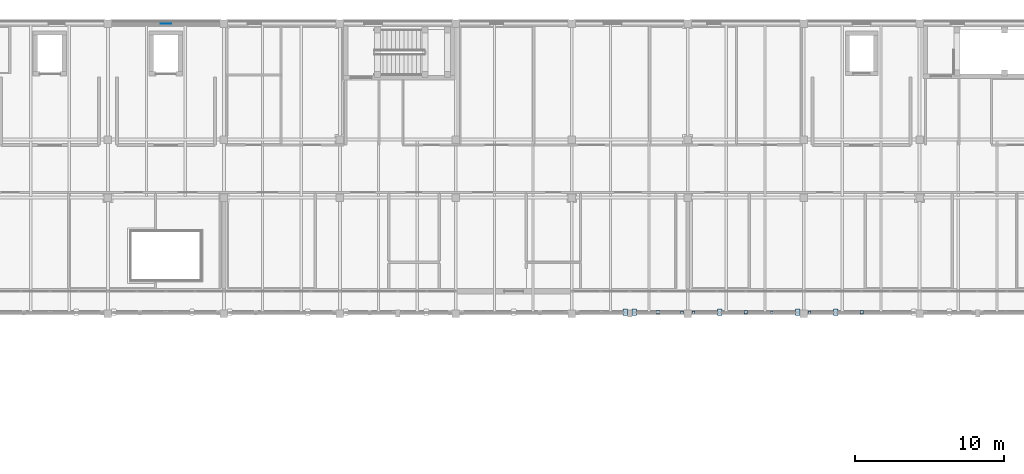
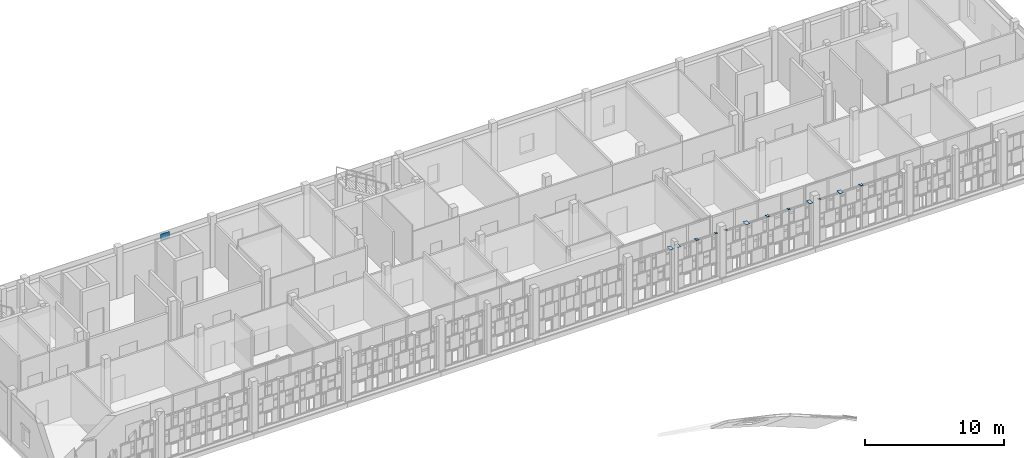
# One storey, part 63 of 89: 13 plates.
"""IFC4 building model written with IfcOpenShell, lengths in metres."""

from ifc_helpers import new_model, si_unit, direction, frame, origin, origin_2d, place, context, subcontext, project, spatial, rectangle, extrude, material, layer, layer_set, type_object, element, save


model = new_model("IFC4")

# Units and contexts
model_context = context("Model", 3, precision=1e-05, world=origin(), true_north=direction((0.0, 1.0)))
body_context = subcontext(model_context, "Body", "Model", "MODEL_VIEW")
ifc_project = project(units=[si_unit("LENGTHUNIT", "METRE"), si_unit("AREAUNIT", "SQUARE_METRE"), si_unit("VOLUMEUNIT", "CUBIC_METRE"), si_unit("PLANEANGLEUNIT", "RADIAN"), si_unit("MASSUNIT", "GRAM", prefix="KILO")], contexts=[model_context])

# Site, building, storey
site_placement = place(None, origin())
site = spatial("IfcSite", under=ifc_project, at=site_placement, CompositionType="ELEMENT")
building_placement = place(site_placement, origin())
building = spatial("IfcBuilding", under=site, at=building_placement, Name="Celorna Specialist Clinic", CompositionType="ELEMENT")
storey_placement = place(building_placement, frame((0.0, 0.0, 14.10009765625)))
storey = spatial("IfcBuildingStorey", under=building, at=storey_placement, Name="L03", CompositionType="ELEMENT", Elevation=14.10009765625)

# Plates
ifc_material = material(Name="Steel S355", Category="steel")
ifc_layer_1 = layer(ifc_material, 0.011962890625, Name="Steel S355")
ifc_layer_set_1 = layer_set([ifc_layer_1], Name="Steel S355")
plate_type_1 = type_object("IfcPlateType", Name="EP-06", PredefinedType="SHEET", material=ifc_layer_set_1)
for number, where, z_axis, x_axis, name in (
    (1, (101.010009765625, 96.580078125, 3.83984375), (0.0, 0.0, 1.0), (1.0, 0.0, 0.0), "Screen post cap plate EP-06 #1371"),
    (2, (101.7900390625, 96.580078125, 3.83984375), (0.0, 0.0, 1.0), (1.0, 0.0, 0.0), "Screen post cap plate EP-06 #1380"),
    (3, (107.054931640625, 96.580078125, 3.83984375), (0.0, 0.0, 1.0), (1.0, 0.0, 0.0), "Screen post cap plate EP-06 #1383"),
    (4, (109.590087890625, 96.580078125, 3.83984375), (0.0, 0.0, 1.0), (1.0, 0.0, 0.0), "Screen post cap plate EP-06 #1401"),
):
    element("IfcPlate", number, at=place(storey_placement, frame(where, z_axis=z_axis, x_axis=x_axis)), inside=storey, type_object=plate_type_1, Name=name, PredefinedType="SHEET", context=body_context, shape_type="SweptSolid", body=[
        extrude(rectangle(XDim=0.179931640625, YDim=0.179931640625, at=origin_2d()), origin(), (0.0, 0.0, 1.0), 0.011962890625),
    ])
ifc_layer_2 = layer(ifc_material, 0.01611328125, Name="Steel S355")
ifc_layer_set_2 = layer_set([ifc_layer_2], Name="Steel S355")
plate_type_2 = type_object("IfcPlateType", Name="EP-07", PredefinedType="SHEET", material=ifc_layer_set_2)
for number, where, z_axis, x_axis, name in (
    (5, (97.2099609375, 96.580078125, 3.83984375), (0.0, 0.0, 1.0), (1.0, 0.0, 0.0), "Screen post cap plate EP-07 #1360"),
    (6, (97.7900390625, 96.580078125, 3.83984375), (0.0, 0.0, 1.0), (1.0, 0.0, 0.0), "Screen post cap plate EP-07 #1369"),
    (7, (103.544921875, 96.580078125, 3.83984375), (0.0, 0.0, 1.0), (1.0, 0.0, 0.0), "Screen post cap plate EP-07 #1381"),
    (8, (108.81005859375, 96.580078125, 3.83984375), (0.0, 0.0, 1.0), (1.0, 0.0, 0.0), "Screen post cap plate EP-07 #1384"),
    (9, (111.344970703125, 96.580078125, 3.83984375), (0.0, 0.0, 1.0), (1.0, 0.0, 0.0), "Screen post cap plate EP-07 #1402"),
):
    element("IfcPlate", number, at=place(storey_placement, frame(where, z_axis=z_axis, x_axis=x_axis)), inside=storey, type_object=plate_type_2, Name=name, PredefinedType="SHEET", context=body_context, shape_type="SweptSolid", body=[
        extrude(rectangle(XDim=0.300048828125, YDim=0.43994140625, at=origin_2d()), origin(), (0.0, 0.0, 1.0), 0.01611328125),
    ])
ifc_layer_3 = layer(ifc_material, 0.013916015625, Name="Steel S355")
ifc_layer_set_3 = layer_set([ifc_layer_3], Name="Steel S355")
plate_type_3 = type_object("IfcPlateType", Name="EP-08", PredefinedType="SHEET", material=ifc_layer_set_3)
for number, where, z_axis, x_axis, name in (
    (10, (99.39990234375, 96.580078125, 3.83984375), (0.0, 0.0, 1.0), (1.0, 0.0, 0.0), "Screen post cap plate EP-08 #1370"),
    (11, (105.300048828125, 96.580078125, 3.83984375), (0.0, 0.0, 1.0), (1.0, 0.0, 0.0), "Screen post cap plate EP-08 #1382"),
    (12, (113.10009765625, 96.580078125, 3.83984375), (0.0, 0.0, 1.0), (1.0, 0.0, 0.0), "Screen post cap plate EP-08 #1403"),
):
    element("IfcPlate", number, at=place(storey_placement, frame(where, z_axis=z_axis, x_axis=x_axis)), inside=storey, type_object=plate_type_3, Name=name, PredefinedType="SHEET", context=body_context, shape_type="SweptSolid", body=[
        extrude(rectangle(XDim=0.239990234375, YDim=0.239990234375, at=origin_2d()), origin(), (0.0, 0.0, 1.0), 0.013916015625),
    ])
ifc_layer_4 = layer(ifc_material, 0.02490234375, Name="Steel S355")
ifc_layer_set_4 = layer_set([ifc_layer_4], Name="Steel S355")
plate_type_4 = type_object("IfcPlateType", Name="GP-02", PredefinedType="USERDEFINED", material=ifc_layer_set_4)
plate_placement = place(storey_placement, frame((66.300048828125, 116.0, 3.669921875), z_axis=(0.0, 0.0, 1.0), x_axis=(1.0, 0.0, 0.0)))
element("IfcPlate", 13, at=plate_placement, inside=storey, type_object=plate_type_4, Name="Chevron apex gusset plate GP-02 #83", ObjectType="GUSSET PLATE", PredefinedType="USERDEFINED", context=body_context, shape_type="SweptSolid", body=[
    extrude(rectangle(XDim=0.719970703125, YDim=0.02490234375, at=origin_2d()), origin(), (0.0, 0.0, 1.0), 0.56005859375),
])

save(model, "model.ifc")
